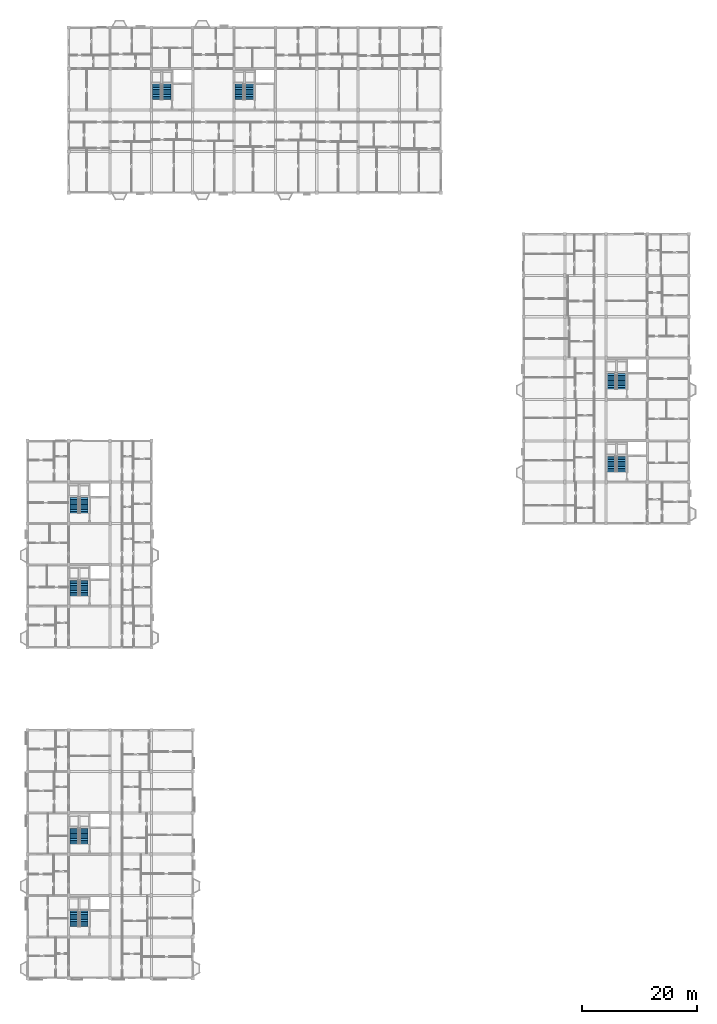
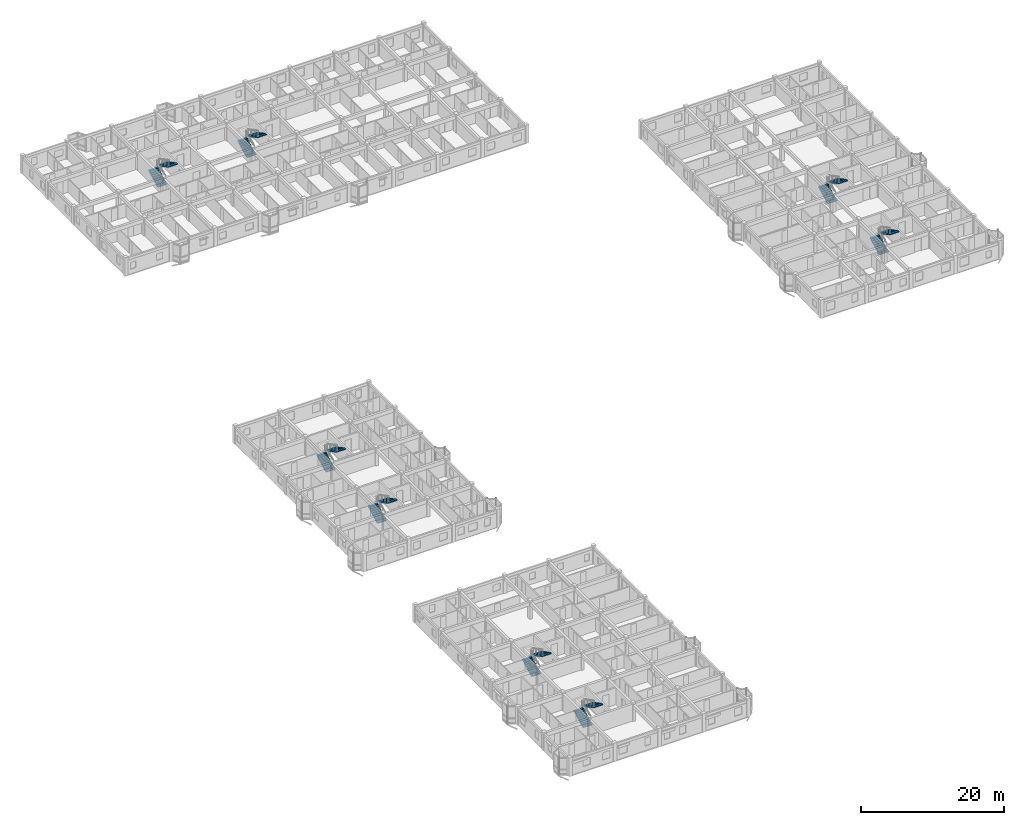
# One storey, part 73 of 77: 16 stair flights, 8 elements without a shape of their own.
"""IFC4 building model written with IfcOpenShell, lengths in metres."""

from ifc_helpers import new_model, si_unit, direction, frame, origin, place, context, subcontext, project, spatial, polyline, outline, extrude, material, type_object, element, aggregate, save


model = new_model("IFC4")

# Units and contexts
model_context = context("Model", 3, precision=1e-05, world=origin(), true_north=direction((0.0, 1.0)))
body_context = subcontext(model_context, "Body", "Model", "MODEL_VIEW")
ifc_project = project(units=[si_unit("LENGTHUNIT", "METRE"), si_unit("AREAUNIT", "SQUARE_METRE"), si_unit("VOLUMEUNIT", "CUBIC_METRE"), si_unit("PLANEANGLEUNIT", "RADIAN"), si_unit("MASSUNIT", "GRAM", prefix="KILO"), si_unit("THERMODYNAMICTEMPERATUREUNIT", "KELVIN"), si_unit("POWERUNIT", "WATT")], contexts=[model_context])

# Site, building, storey
site_placement = place(None, origin())
site = spatial("IfcSite", under=ifc_project, at=site_placement, CompositionType="ELEMENT")
building_placement = place(site_placement, origin())
building = spatial("IfcBuilding", under=site, at=building_placement, Name="Tavuni Mirador Residences", CompositionType="ELEMENT")
storey_placement = place(building_placement, frame((0.0, 0.0, 17.10009765625)))
storey = spatial("IfcBuildingStorey", under=building, at=storey_placement, Name="L05", CompositionType="ELEMENT", Elevation=17.10009765625)

# Stair, stair flights
ifc_material = material(Name="Precast concrete C40/50", Category="concrete")
stair_type = type_object("IfcStairType", Name="STT-TYP", PredefinedType="HALF_TURN_STAIR", material=ifc_material)
stair_1_placement = place(storey_placement, origin())
stair_1 = element("IfcStair", 1, at=stair_1_placement, inside=storey, type_object=stair_type, Name="Protected exit stair ST1 (L05)", PredefinedType="HALF_TURN_STAIR")
stair_flight_type = type_object("IfcStairFlightType", Name="SFT-1500", PredefinedType="STRAIGHT", material=ifc_material)
stair_flight_1_placement = place(storey_placement, frame((11.75, 16.199951171875, 0.0), z_axis=(0.0, 0.0, 1.0), x_axis=(0.0, 1.0, 0.0)))
stair_flight_1 = element("IfcStairFlight", 2, at=stair_flight_1_placement, type_object=stair_flight_type, Name="ST1 flight 1", NumberOfRisers=10, NumberOfTreads=9, PredefinedType="STRAIGHT", RiserHeight=0.1575, TreadLength=0.3, context=body_context, shape_type="SweptSolid", body=[
    extrude(outline(polyline([(0.0, 0.0), (0.0, 0.157470703125), (0.300048828125, 0.157470703125), (0.300048828125, 0.31494140625), (0.60009765625, 0.31494140625), (0.60009765625, 0.472412109375), (0.89990234375, 0.472412109375), (0.89990234375, 0.6298828125), (1.199951171875, 0.6298828125), (1.199951171875, 0.78759765625), (1.5, 0.78759765625), (1.5, 0.945068359375), (1.800048828125, 0.945068359375), (1.800048828125, 1.1025390625), (2.10009765625, 1.1025390625), (2.10009765625, 1.260009765625), (2.39990234375, 1.260009765625), (2.39990234375, 1.41748046875), (2.699951171875, 1.41748046875), (2.699951171875, 1.574951171875), (2.699951171875, 1.23681640625), (0.343994140625, 0.0), (0.0, 0.0)])), frame((0.0, 0.75, 0.0), z_axis=(0.0, -1.0, 0.0), x_axis=(1.0, 0.0, 0.0)), (0.0, 0.0, 1.0), 1.5),
])
stair_flight_2_placement = place(storey_placement, frame((13.449951171875, 18.89990234375, 1.574951171875), z_axis=(0.0, 0.0, 1.0), x_axis=(0.0, -1.0, 0.0)))
stair_flight_2 = element("IfcStairFlight", 3, at=stair_flight_2_placement, type_object=stair_flight_type, Name="ST1 flight 2", NumberOfRisers=10, NumberOfTreads=9, PredefinedType="STRAIGHT", RiserHeight=0.1575, TreadLength=0.3, context=body_context, shape_type="SweptSolid", body=[
    extrude(outline(polyline([(0.0, 0.0), (0.0, 0.157470703125), (0.300048828125, 0.157470703125), (0.300048828125, 0.31494140625), (0.60009765625, 0.31494140625), (0.60009765625, 0.472412109375), (0.89990234375, 0.472412109375), (0.89990234375, 0.6298828125), (1.199951171875, 0.6298828125), (1.199951171875, 0.78759765625), (1.5, 0.78759765625), (1.5, 0.945068359375), (1.800048828125, 0.945068359375), (1.800048828125, 1.1025390625), (2.10009765625, 1.1025390625), (2.10009765625, 1.260009765625), (2.39990234375, 1.260009765625), (2.39990234375, 1.41748046875), (2.699951171875, 1.41748046875), (2.699951171875, 1.574951171875), (2.699951171875, 1.23681640625), (0.343994140625, 0.0), (0.0, 0.0)])), frame((0.0, 0.75, 0.0), z_axis=(0.0, -1.0, 0.0), x_axis=(1.0, 0.0, 0.0)), (0.0, 0.0, 1.0), 1.5),
])
aggregate(stair_1, [stair_flight_1, stair_flight_2])

stair_2_placement = place(storey_placement, origin())
stair_2 = element("IfcStair", 4, at=stair_2_placement, inside=storey, type_object=stair_type, Name="Protected exit stair ST2 (L05)", PredefinedType="HALF_TURN_STAIR")
stair_flight_3_placement = place(storey_placement, frame((11.75, 30.60009765625, 0.0), z_axis=(0.0, 0.0, 1.0), x_axis=(0.0, 1.0, 0.0)))
stair_flight_3 = element("IfcStairFlight", 5, at=stair_flight_3_placement, type_object=stair_flight_type, Name="ST2 flight 1", NumberOfRisers=10, NumberOfTreads=9, PredefinedType="STRAIGHT", RiserHeight=0.1575, TreadLength=0.3, context=body_context, shape_type="SweptSolid", body=[
    extrude(outline(polyline([(0.0, 0.0), (0.0, 0.157470703125), (0.300048828125, 0.157470703125), (0.300048828125, 0.31494140625), (0.60009765625, 0.31494140625), (0.60009765625, 0.472412109375), (0.89990234375, 0.472412109375), (0.89990234375, 0.6298828125), (1.199951171875, 0.6298828125), (1.199951171875, 0.78759765625), (1.5, 0.78759765625), (1.5, 0.945068359375), (1.800048828125, 0.945068359375), (1.800048828125, 1.1025390625), (2.10009765625, 1.1025390625), (2.10009765625, 1.260009765625), (2.39990234375, 1.260009765625), (2.39990234375, 1.41748046875), (2.699951171875, 1.41748046875), (2.699951171875, 1.574951171875), (2.699951171875, 1.23681640625), (0.343994140625, 0.0), (0.0, 0.0)])), frame((0.0, 0.75, 0.0), z_axis=(0.0, -1.0, 0.0), x_axis=(1.0, 0.0, 0.0)), (0.0, 0.0, 1.0), 1.5),
])
stair_flight_4_placement = place(storey_placement, frame((13.449951171875, 33.300048828125, 1.574951171875), z_axis=(0.0, 0.0, 1.0), x_axis=(0.0, -1.0, 0.0)))
stair_flight_4 = element("IfcStairFlight", 6, at=stair_flight_4_placement, type_object=stair_flight_type, Name="ST2 flight 2", NumberOfRisers=10, NumberOfTreads=9, PredefinedType="STRAIGHT", RiserHeight=0.1575, TreadLength=0.3, context=body_context, shape_type="SweptSolid", body=[
    extrude(outline(polyline([(0.0, 0.0), (0.0, 0.157470703125), (0.300048828125, 0.157470703125), (0.300048828125, 0.31494140625), (0.60009765625, 0.31494140625), (0.60009765625, 0.472412109375), (0.89990234375, 0.472412109375), (0.89990234375, 0.6298828125), (1.199951171875, 0.6298828125), (1.199951171875, 0.78759765625), (1.5, 0.78759765625), (1.5, 0.945068359375), (1.800048828125, 0.945068359375), (1.800048828125, 1.1025390625), (2.10009765625, 1.1025390625), (2.10009765625, 1.260009765625), (2.39990234375, 1.260009765625), (2.39990234375, 1.41748046875), (2.699951171875, 1.41748046875), (2.699951171875, 1.574951171875), (2.699951171875, 1.23681640625), (0.343994140625, 0.0), (0.0, 0.0)])), frame((0.0, 0.75, 0.0), z_axis=(0.0, -1.0, 0.0), x_axis=(1.0, 0.0, 0.0)), (0.0, 0.0, 1.0), 1.5),
])
aggregate(stair_2, [stair_flight_3, stair_flight_4])

stair_3_placement = place(storey_placement, origin())
stair_3 = element("IfcStair", 7, at=stair_3_placement, inside=storey, type_object=stair_type, Name="Protected exit stair ST3 (L05)", PredefinedType="HALF_TURN_STAIR")
stair_flight_5_placement = place(storey_placement, frame((11.75, 73.800048828125, 0.0), z_axis=(0.0, 0.0, 1.0), x_axis=(0.0, 1.0, 0.0)))
stair_flight_5 = element("IfcStairFlight", 8, at=stair_flight_5_placement, type_object=stair_flight_type, Name="ST3 flight 1", NumberOfRisers=10, NumberOfTreads=9, PredefinedType="STRAIGHT", RiserHeight=0.1575, TreadLength=0.3, context=body_context, shape_type="SweptSolid", body=[
    extrude(outline(polyline([(0.0, 0.0), (0.0, 0.157470703125), (0.300048828125, 0.157470703125), (0.300048828125, 0.31494140625), (0.60009765625, 0.31494140625), (0.60009765625, 0.472412109375), (0.89990234375, 0.472412109375), (0.89990234375, 0.6298828125), (1.199951171875, 0.6298828125), (1.199951171875, 0.78759765625), (1.5, 0.78759765625), (1.5, 0.945068359375), (1.800048828125, 0.945068359375), (1.800048828125, 1.1025390625), (2.10009765625, 1.1025390625), (2.10009765625, 1.260009765625), (2.39990234375, 1.260009765625), (2.39990234375, 1.41748046875), (2.699951171875, 1.41748046875), (2.699951171875, 1.574951171875), (2.699951171875, 1.23681640625), (0.343994140625, 0.0), (0.0, 0.0)])), frame((0.0, 0.75, 0.0), z_axis=(0.0, -1.0, 0.0), x_axis=(1.0, 0.0, 0.0)), (0.0, 0.0, 1.0), 1.5),
])
stair_flight_6_placement = place(storey_placement, frame((13.449951171875, 76.5, 1.574951171875), z_axis=(0.0, 0.0, 1.0), x_axis=(0.0, -1.0, 0.0)))
stair_flight_6 = element("IfcStairFlight", 9, at=stair_flight_6_placement, type_object=stair_flight_type, Name="ST3 flight 2", NumberOfRisers=10, NumberOfTreads=9, PredefinedType="STRAIGHT", RiserHeight=0.1575, TreadLength=0.3, context=body_context, shape_type="SweptSolid", body=[
    extrude(outline(polyline([(0.0, 0.0), (0.0, 0.157470703125), (0.300048828125, 0.157470703125), (0.300048828125, 0.31494140625), (0.60009765625, 0.31494140625), (0.60009765625, 0.472412109375), (0.89990234375, 0.472412109375), (0.89990234375, 0.6298828125), (1.199951171875, 0.6298828125), (1.199951171875, 0.78759765625), (1.5, 0.78759765625), (1.5, 0.945068359375), (1.800048828125, 0.945068359375), (1.800048828125, 1.1025390625), (2.10009765625, 1.1025390625), (2.10009765625, 1.260009765625), (2.39990234375, 1.260009765625), (2.39990234375, 1.41748046875), (2.699951171875, 1.41748046875), (2.699951171875, 1.574951171875), (2.699951171875, 1.23681640625), (0.343994140625, 0.0), (0.0, 0.0)])), frame((0.0, 0.75, 0.0), z_axis=(0.0, -1.0, 0.0), x_axis=(1.0, 0.0, 0.0)), (0.0, 0.0, 1.0), 1.5),
])
aggregate(stair_3, [stair_flight_5, stair_flight_6])

stair_4_placement = place(storey_placement, origin())
stair_4 = element("IfcStair", 10, at=stair_4_placement, inside=storey, type_object=stair_type, Name="Protected exit stair ST4 (L05)", PredefinedType="HALF_TURN_STAIR")
stair_flight_7_placement = place(storey_placement, frame((11.75, 88.199951171875, 0.0), z_axis=(0.0, 0.0, 1.0), x_axis=(0.0, 1.0, 0.0)))
stair_flight_7 = element("IfcStairFlight", 11, at=stair_flight_7_placement, type_object=stair_flight_type, Name="ST4 flight 1", NumberOfRisers=10, NumberOfTreads=9, PredefinedType="STRAIGHT", RiserHeight=0.1575, TreadLength=0.3, context=body_context, shape_type="SweptSolid", body=[
    extrude(outline(polyline([(0.0, 0.0), (0.0, 0.157470703125), (0.300048828125, 0.157470703125), (0.300048828125, 0.31494140625), (0.60009765625, 0.31494140625), (0.60009765625, 0.472412109375), (0.89990234375, 0.472412109375), (0.89990234375, 0.6298828125), (1.199951171875, 0.6298828125), (1.199951171875, 0.78759765625), (1.5, 0.78759765625), (1.5, 0.945068359375), (1.800048828125, 0.945068359375), (1.800048828125, 1.1025390625), (2.10009765625, 1.1025390625), (2.10009765625, 1.260009765625), (2.39990234375, 1.260009765625), (2.39990234375, 1.41748046875), (2.699951171875, 1.41748046875), (2.699951171875, 1.574951171875), (2.699951171875, 1.23681640625), (0.343994140625, 0.0), (0.0, 0.0)])), frame((0.0, 0.75, 0.0), z_axis=(0.0, -1.0, 0.0), x_axis=(1.0, 0.0, 0.0)), (0.0, 0.0, 1.0), 1.5),
])
stair_flight_8_placement = place(storey_placement, frame((13.449951171875, 90.89990234375, 1.574951171875), z_axis=(0.0, 0.0, 1.0), x_axis=(0.0, -1.0, 0.0)))
stair_flight_8 = element("IfcStairFlight", 12, at=stair_flight_8_placement, type_object=stair_flight_type, Name="ST4 flight 2", NumberOfRisers=10, NumberOfTreads=9, PredefinedType="STRAIGHT", RiserHeight=0.1575, TreadLength=0.3, context=body_context, shape_type="SweptSolid", body=[
    extrude(outline(polyline([(0.0, 0.0), (0.0, 0.157470703125), (0.300048828125, 0.157470703125), (0.300048828125, 0.31494140625), (0.60009765625, 0.31494140625), (0.60009765625, 0.472412109375), (0.89990234375, 0.472412109375), (0.89990234375, 0.6298828125), (1.199951171875, 0.6298828125), (1.199951171875, 0.78759765625), (1.5, 0.78759765625), (1.5, 0.945068359375), (1.800048828125, 0.945068359375), (1.800048828125, 1.1025390625), (2.10009765625, 1.1025390625), (2.10009765625, 1.260009765625), (2.39990234375, 1.260009765625), (2.39990234375, 1.41748046875), (2.699951171875, 1.41748046875), (2.699951171875, 1.574951171875), (2.699951171875, 1.23681640625), (0.343994140625, 0.0), (0.0, 0.0)])), frame((0.0, 0.75, 0.0), z_axis=(0.0, -1.0, 0.0), x_axis=(1.0, 0.0, 0.0)), (0.0, 0.0, 1.0), 1.5),
])
aggregate(stair_4, [stair_flight_7, stair_flight_8])

stair_5_placement = place(storey_placement, origin())
stair_5 = element("IfcStair", 13, at=stair_5_placement, inside=storey, type_object=stair_type, Name="Protected exit stair ST5 (L05)", PredefinedType="HALF_TURN_STAIR")
stair_flight_9_placement = place(storey_placement, frame((26.14990234375, 160.199951171875, 0.0), z_axis=(0.0, 0.0, 1.0), x_axis=(0.0, 1.0, 0.0)))
stair_flight_9 = element("IfcStairFlight", 14, at=stair_flight_9_placement, type_object=stair_flight_type, Name="ST5 flight 1", NumberOfRisers=10, NumberOfTreads=9, PredefinedType="STRAIGHT", RiserHeight=0.1575, TreadLength=0.3, context=body_context, shape_type="SweptSolid", body=[
    extrude(outline(polyline([(0.0, 0.0), (0.0, 0.157470703125), (0.300048828125, 0.157470703125), (0.300048828125, 0.31494140625), (0.60009765625, 0.31494140625), (0.60009765625, 0.472412109375), (0.89990234375, 0.472412109375), (0.89990234375, 0.6298828125), (1.199951171875, 0.6298828125), (1.199951171875, 0.78759765625), (1.5, 0.78759765625), (1.5, 0.945068359375), (1.800048828125, 0.945068359375), (1.800048828125, 1.1025390625), (2.10009765625, 1.1025390625), (2.10009765625, 1.260009765625), (2.39990234375, 1.260009765625), (2.39990234375, 1.41748046875), (2.699951171875, 1.41748046875), (2.699951171875, 1.574951171875), (2.699951171875, 1.23681640625), (0.343994140625, 0.0), (0.0, 0.0)])), frame((0.0, 0.75, 0.0), z_axis=(0.0, -1.0, 0.0), x_axis=(1.0, 0.0, 0.0)), (0.0, 0.0, 1.0), 1.5),
])
stair_flight_10_placement = place(storey_placement, frame((27.85009765625, 162.89990234375, 1.574951171875), z_axis=(0.0, 0.0, 1.0), x_axis=(0.0, -1.0, 0.0)))
stair_flight_10 = element("IfcStairFlight", 15, at=stair_flight_10_placement, type_object=stair_flight_type, Name="ST5 flight 2", NumberOfRisers=10, NumberOfTreads=9, PredefinedType="STRAIGHT", RiserHeight=0.1575, TreadLength=0.3, context=body_context, shape_type="SweptSolid", body=[
    extrude(outline(polyline([(0.0, 0.0), (0.0, 0.157470703125), (0.300048828125, 0.157470703125), (0.300048828125, 0.31494140625), (0.60009765625, 0.31494140625), (0.60009765625, 0.472412109375), (0.89990234375, 0.472412109375), (0.89990234375, 0.6298828125), (1.199951171875, 0.6298828125), (1.199951171875, 0.78759765625), (1.5, 0.78759765625), (1.5, 0.945068359375), (1.800048828125, 0.945068359375), (1.800048828125, 1.1025390625), (2.10009765625, 1.1025390625), (2.10009765625, 1.260009765625), (2.39990234375, 1.260009765625), (2.39990234375, 1.41748046875), (2.699951171875, 1.41748046875), (2.699951171875, 1.574951171875), (2.699951171875, 1.23681640625), (0.343994140625, 0.0), (0.0, 0.0)])), frame((0.0, 0.75, 0.0), z_axis=(0.0, -1.0, 0.0), x_axis=(1.0, 0.0, 0.0)), (0.0, 0.0, 1.0), 1.5),
])
aggregate(stair_5, [stair_flight_9, stair_flight_10])

stair_6_placement = place(storey_placement, origin())
stair_6 = element("IfcStair", 16, at=stair_6_placement, inside=storey, type_object=stair_type, Name="Protected exit stair ST6 (L05)", PredefinedType="HALF_TURN_STAIR")
stair_flight_11_placement = place(storey_placement, frame((40.550048828125, 160.199951171875, 0.0), z_axis=(0.0, 0.0, 1.0), x_axis=(0.0, 1.0, 0.0)))
stair_flight_11 = element("IfcStairFlight", 17, at=stair_flight_11_placement, type_object=stair_flight_type, Name="ST6 flight 1", NumberOfRisers=10, NumberOfTreads=9, PredefinedType="STRAIGHT", RiserHeight=0.1575, TreadLength=0.3, context=body_context, shape_type="SweptSolid", body=[
    extrude(outline(polyline([(0.0, 0.0), (0.0, 0.157470703125), (0.300048828125, 0.157470703125), (0.300048828125, 0.31494140625), (0.60009765625, 0.31494140625), (0.60009765625, 0.472412109375), (0.89990234375, 0.472412109375), (0.89990234375, 0.6298828125), (1.199951171875, 0.6298828125), (1.199951171875, 0.78759765625), (1.5, 0.78759765625), (1.5, 0.945068359375), (1.800048828125, 0.945068359375), (1.800048828125, 1.1025390625), (2.10009765625, 1.1025390625), (2.10009765625, 1.260009765625), (2.39990234375, 1.260009765625), (2.39990234375, 1.41748046875), (2.699951171875, 1.41748046875), (2.699951171875, 1.574951171875), (2.699951171875, 1.23681640625), (0.343994140625, 0.0), (0.0, 0.0)])), frame((0.0, 0.75, 0.0), z_axis=(0.0, -1.0, 0.0), x_axis=(1.0, 0.0, 0.0)), (0.0, 0.0, 1.0), 1.5),
])
stair_flight_12_placement = place(storey_placement, frame((42.25, 162.89990234375, 1.574951171875), z_axis=(0.0, 0.0, 1.0), x_axis=(0.0, -1.0, 0.0)))
stair_flight_12 = element("IfcStairFlight", 18, at=stair_flight_12_placement, type_object=stair_flight_type, Name="ST6 flight 2", NumberOfRisers=10, NumberOfTreads=9, PredefinedType="STRAIGHT", RiserHeight=0.1575, TreadLength=0.3, context=body_context, shape_type="SweptSolid", body=[
    extrude(outline(polyline([(0.0, 0.0), (0.0, 0.157470703125), (0.300048828125, 0.157470703125), (0.300048828125, 0.31494140625), (0.60009765625, 0.31494140625), (0.60009765625, 0.472412109375), (0.89990234375, 0.472412109375), (0.89990234375, 0.6298828125), (1.199951171875, 0.6298828125), (1.199951171875, 0.78759765625), (1.5, 0.78759765625), (1.5, 0.945068359375), (1.800048828125, 0.945068359375), (1.800048828125, 1.1025390625), (2.10009765625, 1.1025390625), (2.10009765625, 1.260009765625), (2.39990234375, 1.260009765625), (2.39990234375, 1.41748046875), (2.699951171875, 1.41748046875), (2.699951171875, 1.574951171875), (2.699951171875, 1.23681640625), (0.343994140625, 0.0), (0.0, 0.0)])), frame((0.0, 0.75, 0.0), z_axis=(0.0, -1.0, 0.0), x_axis=(1.0, 0.0, 0.0)), (0.0, 0.0, 1.0), 1.5),
])
aggregate(stair_6, [stair_flight_11, stair_flight_12])

stair_7_placement = place(storey_placement, origin())
stair_7 = element("IfcStair", 19, at=stair_7_placement, inside=storey, type_object=stair_type, Name="Protected exit stair ST7 (L05)", PredefinedType="HALF_TURN_STAIR")
stair_flight_13_placement = place(storey_placement, frame((105.35009765625, 95.39990234375, 0.0), z_axis=(0.0, 0.0, 1.0), x_axis=(0.0, 1.0, 0.0)))
stair_flight_13 = element("IfcStairFlight", 20, at=stair_flight_13_placement, type_object=stair_flight_type, Name="ST7 flight 1", NumberOfRisers=10, NumberOfTreads=9, PredefinedType="STRAIGHT", RiserHeight=0.1575, TreadLength=0.3, context=body_context, shape_type="SweptSolid", body=[
    extrude(outline(polyline([(0.0, 0.0), (0.0, 0.157470703125), (0.300048828125, 0.157470703125), (0.300048828125, 0.31494140625), (0.60009765625, 0.31494140625), (0.60009765625, 0.472412109375), (0.89990234375, 0.472412109375), (0.89990234375, 0.6298828125), (1.199951171875, 0.6298828125), (1.199951171875, 0.78759765625), (1.5, 0.78759765625), (1.5, 0.945068359375), (1.800048828125, 0.945068359375), (1.800048828125, 1.1025390625), (2.10009765625, 1.1025390625), (2.10009765625, 1.260009765625), (2.39990234375, 1.260009765625), (2.39990234375, 1.41748046875), (2.699951171875, 1.41748046875), (2.699951171875, 1.574951171875), (2.699951171875, 1.23681640625), (0.343994140625, 0.0), (0.0, 0.0)])), frame((0.0, 0.75, 0.0), z_axis=(0.0, -1.0, 0.0), x_axis=(1.0, 0.0, 0.0)), (0.0, 0.0, 1.0), 1.5),
])
stair_flight_14_placement = place(storey_placement, frame((107.050048828125, 98.10009765625, 1.574951171875), z_axis=(0.0, 0.0, 1.0), x_axis=(0.0, -1.0, 0.0)))
stair_flight_14 = element("IfcStairFlight", 21, at=stair_flight_14_placement, type_object=stair_flight_type, Name="ST7 flight 2", NumberOfRisers=10, NumberOfTreads=9, PredefinedType="STRAIGHT", RiserHeight=0.1575, TreadLength=0.3, context=body_context, shape_type="SweptSolid", body=[
    extrude(outline(polyline([(0.0, 0.0), (0.0, 0.157470703125), (0.300048828125, 0.157470703125), (0.300048828125, 0.31494140625), (0.60009765625, 0.31494140625), (0.60009765625, 0.472412109375), (0.89990234375, 0.472412109375), (0.89990234375, 0.6298828125), (1.199951171875, 0.6298828125), (1.199951171875, 0.78759765625), (1.5, 0.78759765625), (1.5, 0.945068359375), (1.800048828125, 0.945068359375), (1.800048828125, 1.1025390625), (2.10009765625, 1.1025390625), (2.10009765625, 1.260009765625), (2.39990234375, 1.260009765625), (2.39990234375, 1.41748046875), (2.699951171875, 1.41748046875), (2.699951171875, 1.574951171875), (2.699951171875, 1.23681640625), (0.343994140625, 0.0), (0.0, 0.0)])), frame((0.0, 0.75, 0.0), z_axis=(0.0, -1.0, 0.0), x_axis=(1.0, 0.0, 0.0)), (0.0, 0.0, 1.0), 1.5),
])
aggregate(stair_7, [stair_flight_13, stair_flight_14])

stair_8_placement = place(storey_placement, origin())
stair_8 = element("IfcStair", 22, at=stair_8_placement, inside=storey, type_object=stair_type, Name="Protected exit stair ST8 (L05)", PredefinedType="HALF_TURN_STAIR")
stair_flight_15_placement = place(storey_placement, frame((105.35009765625, 109.800048828125, 0.0), z_axis=(0.0, 0.0, 1.0), x_axis=(0.0, 1.0, 0.0)))
stair_flight_15 = element("IfcStairFlight", 23, at=stair_flight_15_placement, type_object=stair_flight_type, Name="ST8 flight 1", NumberOfRisers=10, NumberOfTreads=9, PredefinedType="STRAIGHT", RiserHeight=0.1575, TreadLength=0.3, context=body_context, shape_type="SweptSolid", body=[
    extrude(outline(polyline([(0.0, 0.0), (0.0, 0.157470703125), (0.300048828125, 0.157470703125), (0.300048828125, 0.31494140625), (0.60009765625, 0.31494140625), (0.60009765625, 0.472412109375), (0.89990234375, 0.472412109375), (0.89990234375, 0.6298828125), (1.199951171875, 0.6298828125), (1.199951171875, 0.78759765625), (1.5, 0.78759765625), (1.5, 0.945068359375), (1.800048828125, 0.945068359375), (1.800048828125, 1.1025390625), (2.10009765625, 1.1025390625), (2.10009765625, 1.260009765625), (2.39990234375, 1.260009765625), (2.39990234375, 1.41748046875), (2.699951171875, 1.41748046875), (2.699951171875, 1.574951171875), (2.699951171875, 1.23681640625), (0.343994140625, 0.0), (0.0, 0.0)])), frame((0.0, 0.75, 0.0), z_axis=(0.0, -1.0, 0.0), x_axis=(1.0, 0.0, 0.0)), (0.0, 0.0, 1.0), 1.5),
])
stair_flight_16_placement = place(storey_placement, frame((107.050048828125, 112.5, 1.574951171875), z_axis=(0.0, 0.0, 1.0), x_axis=(0.0, -1.0, 0.0)))
stair_flight_16 = element("IfcStairFlight", 24, at=stair_flight_16_placement, type_object=stair_flight_type, Name="ST8 flight 2", NumberOfRisers=10, NumberOfTreads=9, PredefinedType="STRAIGHT", RiserHeight=0.1575, TreadLength=0.3, context=body_context, shape_type="SweptSolid", body=[
    extrude(outline(polyline([(0.0, 0.0), (0.0, 0.157470703125), (0.300048828125, 0.157470703125), (0.300048828125, 0.31494140625), (0.60009765625, 0.31494140625), (0.60009765625, 0.472412109375), (0.89990234375, 0.472412109375), (0.89990234375, 0.6298828125), (1.199951171875, 0.6298828125), (1.199951171875, 0.78759765625), (1.5, 0.78759765625), (1.5, 0.945068359375), (1.800048828125, 0.945068359375), (1.800048828125, 1.1025390625), (2.10009765625, 1.1025390625), (2.10009765625, 1.260009765625), (2.39990234375, 1.260009765625), (2.39990234375, 1.41748046875), (2.699951171875, 1.41748046875), (2.699951171875, 1.574951171875), (2.699951171875, 1.23681640625), (0.343994140625, 0.0), (0.0, 0.0)])), frame((0.0, 0.75, 0.0), z_axis=(0.0, -1.0, 0.0), x_axis=(1.0, 0.0, 0.0)), (0.0, 0.0, 1.0), 1.5),
])
aggregate(stair_8, [stair_flight_15, stair_flight_16])

save(model, "model.ifc")
